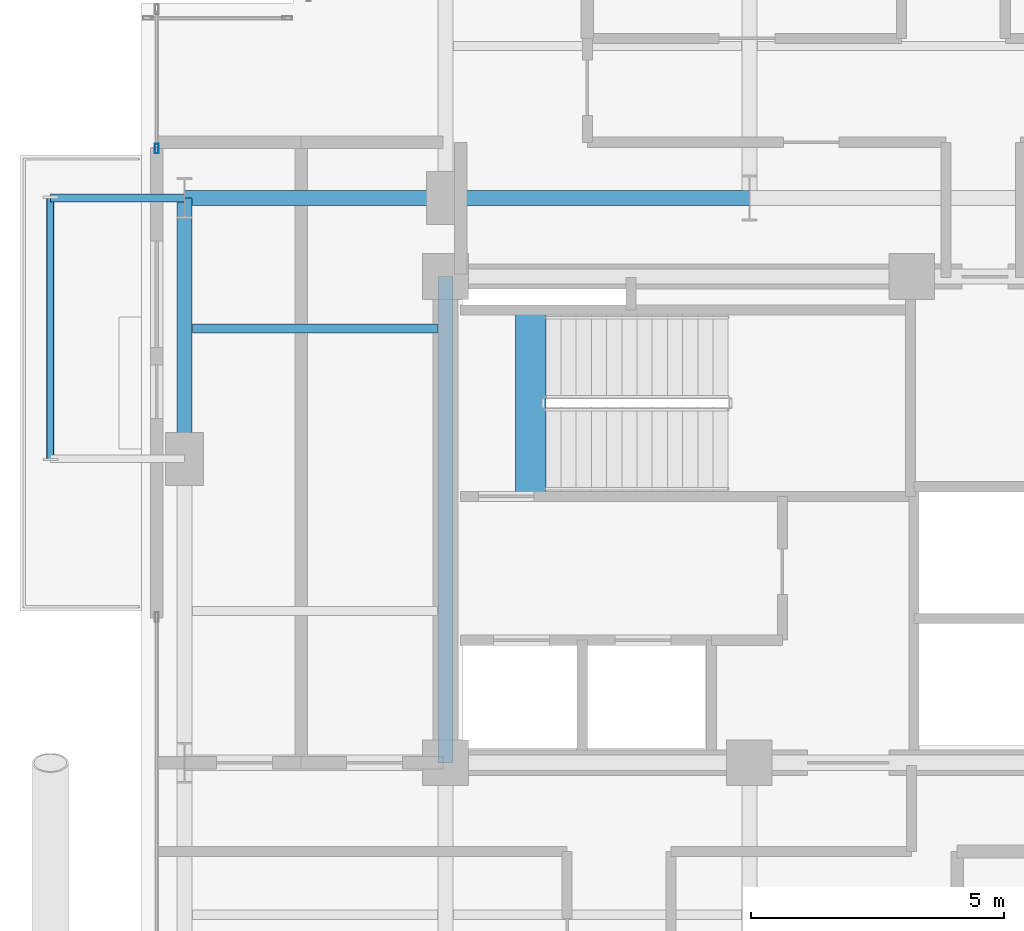
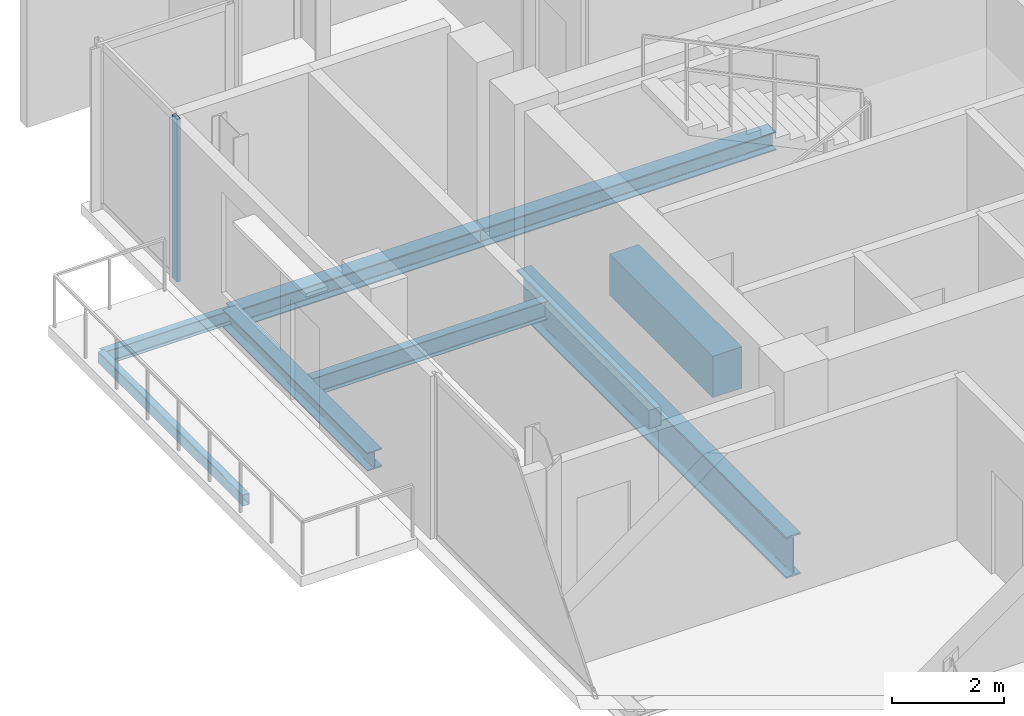
# One storey, part 8 of 26: 8 beams, 1 member, 1 element without a shape of its own.
"""IFC4 building model written with IfcOpenShell, lengths in metres."""

from ifc_helpers import new_model, si_unit, direction, frame, origin, origin_2d, place, context, subcontext, project, spatial, rectangle, hollow_rectangle, i_section, extrude, material, layer, layer_set, material_profile, profile_set, type_object, element, aggregate, save


model = new_model("IFC4")

# Units and contexts
model_context = context("Model", 3, precision=1e-05, world=origin(), true_north=direction((0.0, 1.0)))
body_context = subcontext(model_context, "Body", "Model", "MODEL_VIEW")
ifc_project = project(units=[si_unit("LENGTHUNIT", "METRE"), si_unit("AREAUNIT", "SQUARE_METRE"), si_unit("VOLUMEUNIT", "CUBIC_METRE"), si_unit("PLANEANGLEUNIT", "RADIAN"), si_unit("MASSUNIT", "GRAM", prefix="KILO"), si_unit("THERMODYNAMICTEMPERATUREUNIT", "KELVIN"), si_unit("POWERUNIT", "WATT")], contexts=[model_context])

# Site, building, storey
site_placement = place(None, origin())
site = spatial("IfcSite", under=ifc_project, at=site_placement, CompositionType="ELEMENT")
building_placement = place(site_placement, origin())
building = spatial("IfcBuilding", under=site, at=building_placement, Name="Svarakhadi Broadcast Tower", CompositionType="ELEMENT")
storey_placement = place(building_placement, frame((0.0, 0.0, 184.199951171875)))
storey = spatial("IfcBuildingStorey", under=building, at=storey_placement, Name="L45", CompositionType="ELEMENT", Elevation=184.199951171875)

# Beam
ifc_material_1 = material(Name="Steel S355J2 (IS 2062 E350C)", Category="steel")
ifc_material_profile_1 = material_profile(ifc_material_1, i_section(OverallWidth=0.179931640625, OverallDepth=0.39990234375, WebThickness=0.008544921875, FlangeThickness=0.013427734375, FilletRadius=0.02099609375, at=origin_2d()), Name="NPB 400x180x66")
ifc_profile_set_1 = profile_set([ifc_material_profile_1], Name="Steel S355J2 (IS 2062 E350C)")
beam_type_1 = type_object("IfcBeamType", Name="Beam_NPB400", PredefinedType="BEAM", material=ifc_profile_set_1)
beam_1_placement = place(storey_placement, frame((1.010009765625, 26.574951171875, -0.409912109375), z_axis=(1.0, 0.0, 0.0), x_axis=(0.0, 1.0, 0.0)))
element("IfcBeam", 1, at=beam_1_placement, inside=storey, type_object=beam_type_1, Name="L45 Secondary Composite Beam SB004", PredefinedType="BEAM", context=body_context, shape_type="SweptSolid", body=[
    extrude(i_section(OverallWidth=0.179931640625, OverallDepth=0.39990234375, WebThickness=0.008544921875, FlangeThickness=0.013427734375, FilletRadius=0.02099609375, at=origin_2d()), origin(), (0.0, 0.0, 1.0), 4.830078125),
])

# Curtain wall, member
ifc_material_2 = material(Name="Anodised Bronze Aluminium AA 6063-T6", Category="aluminium")
ifc_layer = layer(ifc_material_2, 0.18994140625)
ifc_layer_set = layer_set([ifc_layer], Name="Anodised Bronze Aluminium AA 6063-T6")
curtain_wall_type = type_object("IfcCurtainWallType", Name="CW_Sys_04", PredefinedType="NOTDEFINED", material=ifc_layer_set)
curtain_wall_placement = place(storey_placement, origin())
curtain_wall = element("IfcCurtainWall", 2, at=curtain_wall_placement, inside=storey, type_object=curtain_wall_type, Name="L45 West Curtain Wall 03", PredefinedType="NOTDEFINED")
ifc_material_profile_2 = material_profile(ifc_material_2, hollow_rectangle(XDim=0.070068359375, YDim=0.18994140625, WallThickness=0.005615234375, at=origin_2d()), Name="ALU MULLION 190x70x6")
ifc_profile_set_2 = profile_set([ifc_material_profile_2], Name="Anodised Bronze Aluminium AA 6063-T6")
member_type = type_object("IfcMemberType", Name="CW_Sys_04_Mul", PredefinedType="MULLION", material=ifc_profile_set_2)
member_placement = place(storey_placement, frame((0.300048828125, 30.125, 0.0), z_axis=(0.0, 0.0, 1.0), x_axis=(-1.0, 0.0, 0.0)))
member = element("IfcMember", 3, at=member_placement, type_object=member_type, Name="CW-04 mullion 1", PredefinedType="MULLION", context=body_context, shape_type="SweptSolid", body=[
    extrude(hollow_rectangle(XDim=0.070068359375, YDim=0.18994140625, WallThickness=0.005615234375, at=origin_2d()), origin(), (0.0, 0.0, 1.0), 3.5400390625),
])
aggregate(curtain_wall, [member])

# Beams
ifc_material_3 = material(Name="Concrete C50/60 (IS 456 M60)", Category="concrete")
ifc_material_profile_3 = material_profile(ifc_material_3, rectangle(XDim=0.60009765625, YDim=0.89990234375, at=origin_2d()), Name="RC 600x900")
ifc_profile_set_3 = profile_set([ifc_material_profile_3], Name="Concrete C50/60 (IS 456 M60)")
beam_type_2 = type_object("IfcBeamType", Name="Coupling_RC600", PredefinedType="USERDEFINED", material=ifc_profile_set_3)
beam_2_placement = place(storey_placement, frame((7.679931640625, 23.260009765625, -0.449951171875), z_axis=(0.0, 1.0, 0.0), x_axis=(-1.0, 0.0, 0.0)))
element("IfcBeam", 4, at=beam_2_placement, inside=storey, type_object=beam_type_2, Name="L45 Stair ST-01 Landing Throat Trimmer Beam CB-01", ObjectType="GIRDER", PredefinedType="USERDEFINED", context=body_context, shape_type="SweptSolid", body=[
    extrude(rectangle(XDim=0.60009765625, YDim=0.89990234375, at=origin_2d()), origin(), (0.0, 0.0, 1.0), 3.679931640625),
])
ifc_material_profile_4 = material_profile(ifc_material_1, i_section(OverallWidth=0.300048828125, OverallDepth=0.39990234375, WebThickness=0.013427734375, FlangeThickness=0.02392578125, FilletRadius=0.027099609375, at=origin_2d()), Name="WPB 400x300x155")
ifc_profile_set_4 = profile_set([ifc_material_profile_4], Name="Steel S355J2 (IS 2062 E350C)")
beam_type_3 = type_object("IfcBeamType", Name="Girder_WPB400", PredefinedType="USERDEFINED", material=ifc_profile_set_4)
beam_3_placement = place(storey_placement, frame((0.85009765625, 29.14990234375, -0.409912109375), z_axis=(1.0, 0.0, 0.0), x_axis=(0.0, 1.0, 0.0)))
element("IfcBeam", 5, at=beam_3_placement, inside=storey, type_object=beam_type_3, Name="L45 Primary E-W Girder G028", ObjectType="GIRDER", PredefinedType="USERDEFINED", context=body_context, shape_type="SweptSolid", body=[
    extrude(i_section(OverallWidth=0.300048828125, OverallDepth=0.39990234375, WebThickness=0.013427734375, FlangeThickness=0.02392578125, FilletRadius=0.027099609375, at=origin_2d()), origin(), (0.0, 0.0, 1.0), 5.14990234375),
])
beam_4_placement = place(storey_placement, frame((6.0, 29.14990234375, -0.409912109375), z_axis=(1.0, 0.0, 0.0), x_axis=(0.0, 1.0, 0.0)))
element("IfcBeam", 6, at=beam_4_placement, inside=storey, type_object=beam_type_3, Name="L45 Primary E-W Girder G029", ObjectType="GIRDER", PredefinedType="USERDEFINED", context=body_context, shape_type="SweptSolid", body=[
    extrude(i_section(OverallWidth=0.300048828125, OverallDepth=0.39990234375, WebThickness=0.013427734375, FlangeThickness=0.02392578125, FilletRadius=0.027099609375, at=origin_2d()), origin(), (0.0, 0.0, 1.0), 6.0),
])
beam_5_placement = place(storey_placement, frame((0.85009765625, 24.0, -0.409912109375), z_axis=(0.0, 1.0, 0.0), x_axis=(-1.0, 0.0, 0.0)))
element("IfcBeam", 7, at=beam_5_placement, inside=storey, type_object=beam_type_3, Name="L45 Primary N-S Girder G036", ObjectType="GIRDER", PredefinedType="USERDEFINED", context=body_context, shape_type="SweptSolid", body=[
    extrude(i_section(OverallWidth=0.300048828125, OverallDepth=0.39990234375, WebThickness=0.013427734375, FlangeThickness=0.02392578125, FilletRadius=0.027099609375, at=origin_2d()), origin(), (0.0, 0.0, 1.0), 5.14990234375),
])
ifc_material_4 = material(Name="Steel S460ML (IS 2062 E450BR)", Category="steel")
ifc_material_profile_5 = material_profile(ifc_material_4, i_section(OverallWidth=0.300048828125, OverallDepth=0.89990234375, WebThickness=0.0185546875, FlangeThickness=0.034912109375, FilletRadius=0.030029296875, at=origin_2d()), Name="WPB 900x300x291")
ifc_profile_set_5 = profile_set([ifc_material_profile_5], Name="Steel S460ML (IS 2062 E450BR)")
beam_type_4 = type_object("IfcBeamType", Name="Girder_WPB900", PredefinedType="USERDEFINED", material=ifc_profile_set_5)
beam_6_placement = place(storey_placement, frame((6.0, 18.0, -0.659912109375), z_axis=(0.0, 1.0, 0.0), x_axis=(-1.0, 0.0, 0.0)))
element("IfcBeam", 8, at=beam_6_placement, inside=storey, type_object=beam_type_4, Name="L45 Primary N-S Girder G040", ObjectType="GIRDER", PredefinedType="USERDEFINED", context=body_context, shape_type="SweptSolid", body=[
    extrude(i_section(OverallWidth=0.300048828125, OverallDepth=0.89990234375, WebThickness=0.0185546875, FlangeThickness=0.034912109375, FilletRadius=0.030029296875, at=origin_2d()), origin(), (0.0, 0.0, 1.0), 9.60009765625),
])
ifc_material_profile_6 = material_profile(ifc_material_1, i_section(OverallWidth=0.14990234375, OverallDepth=0.300048828125, WebThickness=0.007080078125, FlangeThickness=0.0107421875, FilletRadius=0.014892578125, at=origin_2d()), Name="NPB 300x150x37")
ifc_profile_set_6 = profile_set([ifc_material_profile_6], Name="Steel S355J2 (IS 2062 E350C)")
beam_type_5 = type_object("IfcBeamType", Name="Spandrel_NPB300", PredefinedType="SPANDREL", material=ifc_profile_set_6)
beam_7_placement = place(storey_placement, frame((0.85009765625, 29.14990234375, -0.375), z_axis=(-1.0, 0.0, 0.0), x_axis=(0.0, -1.0, 0.0)))
element("IfcBeam", 9, at=beam_7_placement, inside=storey, type_object=beam_type_5, Name="L45 Balcony Cantilever Bracket 2B", PredefinedType="SPANDREL", context=body_context, shape_type="SweptSolid", body=[
    extrude(i_section(OverallWidth=0.14990234375, OverallDepth=0.300048828125, WebThickness=0.007080078125, FlangeThickness=0.0107421875, FilletRadius=0.014892578125, at=origin_2d()), origin(), (0.0, 0.0, 1.0), 2.650146484375),
])
ifc_material_profile_7 = material_profile(ifc_material_4, hollow_rectangle(XDim=0.14990234375, YDim=0.25, WallThickness=0.010009765625, InnerFilletRadius=0.010009765625, OuterFilletRadius=0.02001953125, at=origin_2d()), Name="RHS 250x150x10")
ifc_profile_set_7 = profile_set([ifc_material_profile_7], Name="Steel S460ML (IS 2062 E450BR)")
beam_type_6 = type_object("IfcBeamType", Name="Spandrel_RHS250", PredefinedType="SPANDREL", material=ifc_profile_set_7)
beam_8_placement = place(storey_placement, frame((-1.800048828125, 24.0, -0.349853515625), z_axis=(0.0, 1.0, 0.0), x_axis=(-1.0, 0.0, 0.0)))
element("IfcBeam", 10, at=beam_8_placement, inside=storey, type_object=beam_type_6, Name="L45 Balcony Outer Spandrel 2F", PredefinedType="SPANDREL", context=body_context, shape_type="SweptSolid", body=[
    extrude(hollow_rectangle(XDim=0.14990234375, YDim=0.25, WallThickness=0.010009765625, InnerFilletRadius=0.010009765625, OuterFilletRadius=0.02001953125, at=origin_2d()), origin(), (0.0, 0.0, 1.0), 5.14990234375),
])

save(model, "model.ifc")
